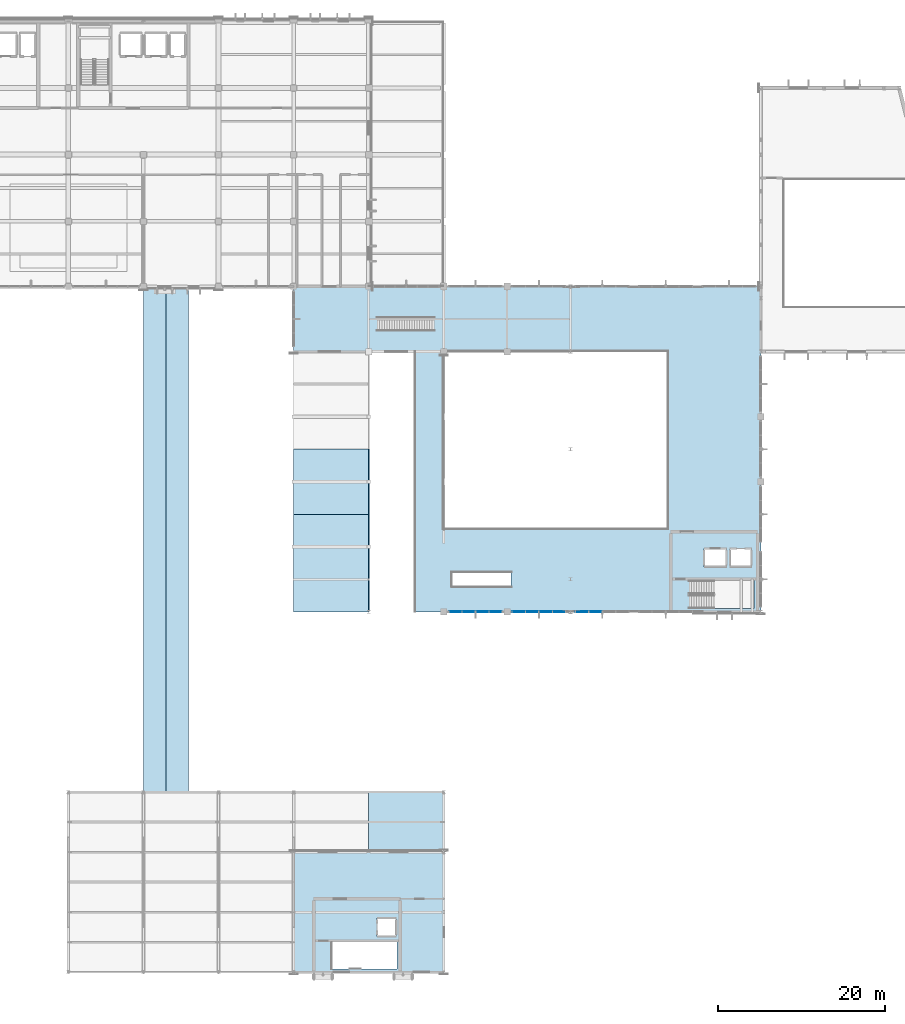
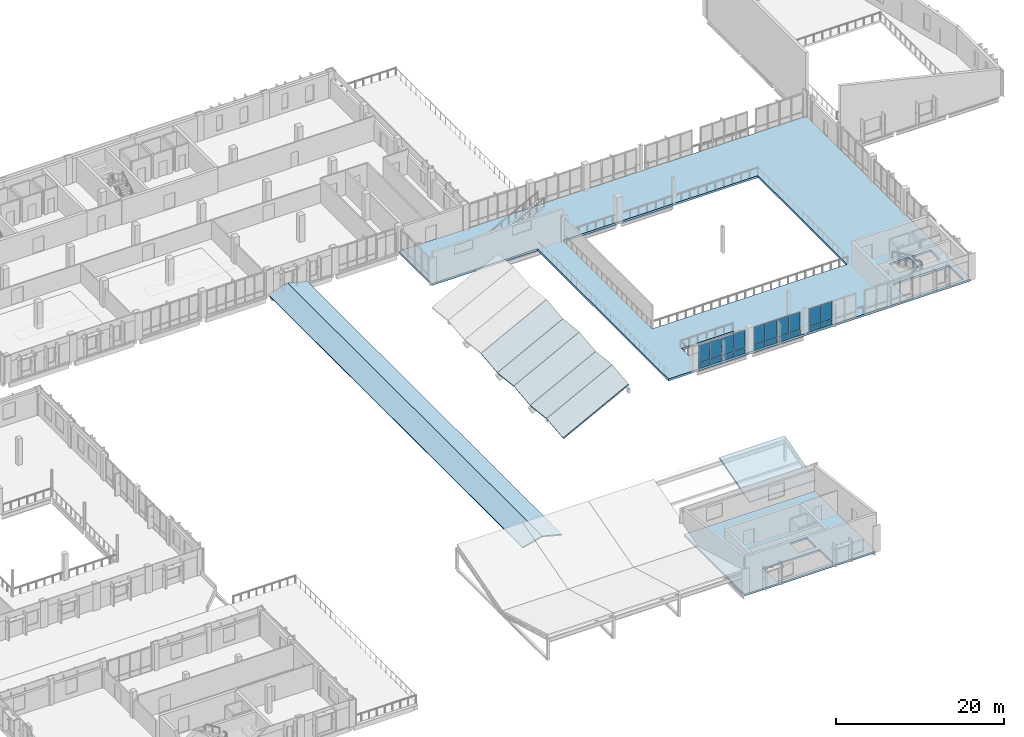
# One storey, part 30 of 64: 20 plates, 10 slabs, 5 elements without a shape of their own.
"""IFC4 building model written with IfcOpenShell, lengths in metres."""

from ifc_helpers import new_model, si_unit, direction, frame, origin, origin_2d, place, context, subcontext, project, spatial, polyline, rectangle, outline, extrude, material, layer, layer_set, type_object, element, aggregate, save


model = new_model("IFC4")

# Units and contexts
model_context = context("Model", 3, precision=1e-05, world=origin(), true_north=direction((0.0, 1.0)))
body_context = subcontext(model_context, "Body", "Model", "MODEL_VIEW")
ifc_project = project(units=[si_unit("LENGTHUNIT", "METRE"), si_unit("AREAUNIT", "SQUARE_METRE"), si_unit("VOLUMEUNIT", "CUBIC_METRE"), si_unit("PLANEANGLEUNIT", "RADIAN"), si_unit("MASSUNIT", "GRAM", prefix="KILO")], contexts=[model_context])

# Site, building, storey
site_placement = place(None, origin())
site = spatial("IfcSite", under=ifc_project, at=site_placement, CompositionType="ELEMENT")
building_placement = place(site_placement, origin())
building = spatial("IfcBuilding", under=site, at=building_placement, Name="Vervanel Yard Central Library", CompositionType="ELEMENT")
storey_placement = place(building_placement, frame((0.0, 0.0, 8.93994140625)))
storey = spatial("IfcBuildingStorey", under=building, at=storey_placement, Name="L02", CompositionType="ELEMENT", Elevation=8.93994140625)

# Slabs
ifc_material_1 = material(Name="Concrete C45/55", Category="concrete")
ifc_layer_1 = layer(ifc_material_1, 0.215087890625, Category="concrete")
ifc_layer_set_1 = layer_set([ifc_layer_1], Name="Concrete C45/55")
slab_type_1 = type_object("IfcSlabType", Name="Butterfly Folded Concrete Roof Slab 215", PredefinedType="ROOF", material=ifc_layer_set_1)
slab_1_placement = place(storey_placement, frame((99.0, 14.39990234375, 1.572265625), z_axis=(0.0, -0.27564654416, 0.961259061176), x_axis=(1.0, 0.0, 0.0)))
element("IfcSlab", 1, at=slab_1_placement, inside=storey, type_object=slab_type_1, Name="L02 V5 Butterfly Folded Concrete Roof Slab 215 V5-BF-N5", PredefinedType="ROOF", context=body_context, shape_type="SweptSolid", body=[
    extrude(outline(polyline([(0.0, 0.0), (9.0, 0.0), (9.0, 7.490379652382536), (0.0, 7.490379652382536), (0.0, 0.0)])), origin(), (0.0, 0.0, -1.0), 0.215087890625),
])
ifc_layer_2 = layer(ifc_material_1, 0.169921875, Category="concrete")
ifc_layer_set_2 = layer_set([ifc_layer_2], Name="Concrete C45/55")
slab_type_2 = type_object("IfcSlabType", Name="Courtyard Bridge Canopy Slab 170", PredefinedType="ROOF", material=ifc_layer_set_2)
for number, where, z_axis, x_axis, name in (
    (2, (72.0, 21.60009765625, 0.0400390625), (-0.250950007997, 0.0, 0.968000048288), (0.968000048288, 0.0, 0.250950007997), "L02 V6 Courtyard Bridge Canopy Slab 170 V6-BRIDGE-ROOF-W"),
    (3, (74.699951171875, 21.60009765625, 0.739990234375), (0.250950007997, 0.0, 0.968000048288), (0.968000048288, 0.0, -0.250950007997), "L02 V6 Courtyard Bridge Canopy Slab 170 V6-BRIDGE-ROOF-E"),
):
    element("IfcSlab", number, at=place(storey_placement, frame(where, z_axis=z_axis, x_axis=x_axis)), inside=storey, type_object=slab_type_2, Name=name, PredefinedType="ROOF", context=body_context, shape_type="SweptSolid", body=[
        extrude(outline(polyline([(0.0, 0.0), (2.7892056169308086, 0.0), (2.7892056169308086, 60.599853515625), (0.0, 60.599853515625), (0.0, 0.0)])), origin(), (0.0, 0.0, -1.0), 0.169921875),
    ])
ifc_material_2 = material(Name="Concrete C40/50", Category="concrete")
ifc_layer_3 = layer(ifc_material_2, 0.264892578125, Category="concrete")
ifc_layer_set_3 = layer_set([ifc_layer_3], Name="Concrete C40/50")
slab_type_3 = type_object("IfcSlabType", Name="Discovery Mezzanine Floor Slab 265", PredefinedType="FLOOR", material=ifc_layer_set_3)
slab_2_placement = place(storey_placement, frame((0.0, 0.0, -0.264892578125)))
element("IfcSlab", 4, at=slab_2_placement, inside=storey, type_object=slab_type_3, Name="L02 V5 Discovery Mezzanine Floor Slab 265", PredefinedType="FLOOR", context=body_context, shape_type="SweptSolid", body=[
    extrude(outline(polyline([(90.0, 0.0), (108.0, 0.0), (108.0, 14.39990234375), (90.0, 14.39990234375), (90.0, 0.0)]), holes=[polyline([(94.635009765625, 0.39990234375), (102.39990234375, 0.39990234375), (102.39990234375, 3.60009765625), (94.635009765625, 3.60009765625), (94.635009765625, 0.39990234375)]), polyline([(100.0, 4.300048828125), (102.300048828125, 4.300048828125), (102.300048828125, 6.5), (100.0, 6.5), (100.0, 4.300048828125)])]), origin(), (0.0, 0.0, 1.0), 0.264892578125),
])
ifc_layer_4 = layer(ifc_material_1, 0.219970703125, Category="concrete")
ifc_layer_set_4 = layer_set([ifc_layer_4], Name="Concrete C45/55")
slab_type_4 = type_object("IfcSlabType", Name="Folded Shell Roof Typical Plate 220", PredefinedType="ROOF", material=ifc_layer_set_4)
slab_3_placement = place(storey_placement, frame((90.0, 43.199951171875, -3.489990234375), z_axis=(-0.458701274363, -0.099056605972, 0.883052053795), x_axis=(0.887416545796, 0.0, 0.460968409165)))
element("IfcSlab", 5, at=slab_3_placement, inside=storey, type_object=slab_type_4, Name="L02 V3 Folded Shell Roof Typical Plate 220 V3-FLK-B1-S01", PredefinedType="ROOF", context=body_context, shape_type="SweptSolid", body=[
    extrude(outline(polyline([(0.0, 0.0), (10.14179873323036, -5.551115123125783e-17), (10.343472412239883, 3.9194229902853603), (0.2016736790095231, 3.919422990285361), (0.0, 0.0)])), origin(), (0.0, 0.0, -1.0), 0.219970703125),
])
slab_4_placement = place(storey_placement, frame((90.0, 47.10009765625, -3.052490234375), z_axis=(-0.458700992592, 0.099062746234, 0.883051511354), x_axis=(0.887416545796, 0.0, 0.460968409165)))
element("IfcSlab", 6, at=slab_4_placement, inside=storey, type_object=slab_type_4, Name="L02 V3 Folded Shell Roof Typical Plate 220 V3-FLK-B1-S02", PredefinedType="ROOF", context=body_context, shape_type="SweptSolid", body=[
    extrude(outline(polyline([(0.0, 0.0), (10.14179873323036, 0.0), (9.940125054220838, 3.919180050467382), (-0.2016736790095231, 3.9191800504673817), (0.0, 0.0)])), origin(), (0.0, 0.0, -1.0), 0.219970703125),
])
slab_5_placement = place(storey_placement, frame((90.0, 51.0, -3.489990234375), z_axis=(-0.458700992592, -0.099062746234, 0.883051511354), x_axis=(0.887416545796, 0.0, 0.460968409165)))
element("IfcSlab", 7, at=slab_5_placement, inside=storey, type_object=slab_type_4, Name="L02 V3 Folded Shell Roof Typical Plate 220 V3-FLK-B1-S03", PredefinedType="ROOF", context=body_context, shape_type="SweptSolid", body=[
    extrude(outline(polyline([(0.0, 0.0), (10.14179873323036, 0.0), (10.343472412239883, 3.9191800504673817), (0.2016736790095231, 3.9191800504673817), (0.0, 0.0)])), origin(), (0.0, 0.0, -1.0), 0.219970703125),
])
slab_6_placement = place(storey_placement, frame((90.0, 54.89990234375, -3.052490234375), z_axis=(-0.458701274363, 0.099056605972, 0.883052053795), x_axis=(0.887416545796, 0.0, 0.460968409165)))
element("IfcSlab", 8, at=slab_6_placement, inside=storey, type_object=slab_type_4, Name="L02 V3 Folded Shell Roof Typical Plate 220 V3-FLK-B1-S04", PredefinedType="ROOF", context=body_context, shape_type="SweptSolid", body=[
    extrude(outline(polyline([(0.0, 0.0), (10.14179873323036, 5.551115123125783e-17), (9.940125054220838, 3.919422990285361), (-0.2016736790095231, 3.919422990285361), (0.0, 0.0)])), origin(), (0.0, 0.0, -1.0), 0.219970703125),
])
slab_7_placement = place(storey_placement, frame((90.0, 58.800048828125, -3.489990234375), z_axis=(-0.458700992592, -0.099062746234, 0.883051511354), x_axis=(0.887416545796, 0.0, 0.460968409165)))
element("IfcSlab", 9, at=slab_7_placement, inside=storey, type_object=slab_type_4, Name="L02 V3 Folded Shell Roof Typical Plate 220 V3-FLK-B1-S05", PredefinedType="ROOF", context=body_context, shape_type="SweptSolid", body=[
    extrude(outline(polyline([(0.0, 0.0), (10.14179873323036, 0.0), (10.343472412239883, 3.9191800504673817), (0.2016736790095231, 3.9191800504673817), (0.0, 0.0)])), origin(), (0.0, 0.0, -1.0), 0.219970703125),
])
ifc_layer_5 = layer(ifc_material_2, 0.294921875, Category="concrete")
ifc_layer_set_5 = layer_set([ifc_layer_5], Name="Concrete C40/50")
slab_type_5 = type_object("IfcSlabType", Name="Reading Gallery Perimeter Slab 295", PredefinedType="FLOOR", material=ifc_layer_set_5)
slab_8_placement = place(storey_placement, frame((0.0, 0.0, -0.294921875)))
element("IfcSlab", 10, at=slab_8_placement, inside=storey, type_object=slab_type_5, Name="L02 V3 Reading Gallery Perimeter Slab 295", PredefinedType="FLOOR", context=body_context, shape_type="SweptSolid", body=[
    extrude(outline(polyline([(104.5, 43.199951171875), (146.0, 43.199951171875), (146.0, 82.199951171875), (90.0, 82.199951171875), (90.0, 74.39990234375), (104.5, 74.39990234375), (104.5, 43.199951171875)]), holes=[polyline([(108.0, 53.199951171875), (134.800048828125, 53.199951171875), (134.800048828125, 74.39990234375), (108.0, 74.39990234375), (108.0, 53.199951171875)]), polyline([(137.43505859375, 43.60009765625), (145.199951171875, 43.60009765625), (145.199951171875, 46.9599609375), (137.43505859375, 46.9599609375), (137.43505859375, 43.60009765625)]), polyline([(139.199951171875, 48.60009765625), (141.89990234375, 48.60009765625), (141.89990234375, 50.800048828125), (139.199951171875, 50.800048828125), (139.199951171875, 48.60009765625)]), polyline([(142.300048828125, 48.60009765625), (144.89990234375, 48.60009765625), (144.89990234375, 50.800048828125), (142.300048828125, 50.800048828125), (142.300048828125, 48.60009765625)]), polyline([(109.0, 46.260009765625), (116.06494140625, 46.260009765625), (116.06494140625, 47.93994140625), (109.0, 47.93994140625), (109.0, 46.260009765625)])]), origin(), (0.0, 0.0, 1.0), 0.294921875),
])

# Curtain wall, plates
ifc_material_3 = material(Name="Thermally broken anodized aluminium 6063-T6", Category="aluminium")
curtain_wall_type = type_object("IfcCurtainWallType", Name="Reading Hall Full-Height Curtain Wall", PredefinedType="NOTDEFINED", material=ifc_material_3)
curtain_wall_1_placement = place(storey_placement, origin())
curtain_wall_1 = element("IfcCurtainWall", 11, at=curtain_wall_1_placement, inside=storey, type_object=curtain_wall_type, Name="L02 Reading Hall Full-Height Curtain Wall CWR-L02-068", PredefinedType="NOTDEFINED")
ifc_material_4 = material(Name="Double low-E laminated solar-control glass", Category="glass")
ifc_layer_6 = layer(ifc_material_4, 0.0380859375, Category="glass")
ifc_layer_set_6 = layer_set([ifc_layer_6], Name="Double low-E laminated solar-control glass")
plate_type_1 = type_object("IfcPlateType", Name="Reading Hall Acoustic Vision Panel 38", PredefinedType="CURTAIN_PANEL", material=ifc_layer_set_6)
plate_1_placement = place(storey_placement, frame((109.387451171875, 43.199951171875, 0.88525390625), z_axis=(0.0, 0.0, 1.0), x_axis=(1.0, 0.0, 0.0)))
plate_1 = element("IfcPlate", 12, at=plate_1_placement, type_object=plate_type_1, Name="CWR-L02-068 Panel B1-2", PredefinedType="CURTAIN_PANEL", context=body_context, shape_type="SweptSolid", body=[
    extrude(rectangle(XDim=1.514892578125, YDim=0.0380859375, at=origin_2d()), origin(), (0.0, 0.0, 1.0), 2.554931640625),
])
plate_2_placement = place(storey_placement, frame((110.972412109375, 43.199951171875, 0.88525390625), z_axis=(0.0, 0.0, 1.0), x_axis=(1.0, 0.0, 0.0)))
plate_2 = element("IfcPlate", 13, at=plate_2_placement, type_object=plate_type_1, Name="CWR-L02-068 Panel B2-2", PredefinedType="CURTAIN_PANEL", context=body_context, shape_type="SweptSolid", body=[
    extrude(rectangle(XDim=1.514892578125, YDim=0.0380859375, at=origin_2d()), origin(), (0.0, 0.0, 1.0), 2.554931640625),
])

curtain_wall_2_placement = place(storey_placement, origin())
curtain_wall_2 = element("IfcCurtainWall", 14, at=curtain_wall_2_placement, inside=storey, type_object=curtain_wall_type, Name="L02 Reading Hall Full-Height Curtain Wall CWR-L02-069", PredefinedType="NOTDEFINED")
plate_3_placement = place(storey_placement, frame((112.62744140625, 43.199951171875, 0.88525390625), z_axis=(0.0, 0.0, 1.0), x_axis=(1.0, 0.0, 0.0)))
plate_3 = element("IfcPlate", 15, at=plate_3_placement, type_object=plate_type_1, Name="CWR-L02-069 Panel B1-2", PredefinedType="CURTAIN_PANEL", context=body_context, shape_type="SweptSolid", body=[
    extrude(rectangle(XDim=1.514892578125, YDim=0.0380859375, at=origin_2d()), origin(), (0.0, 0.0, 1.0), 2.554931640625),
])
plate_4_placement = place(storey_placement, frame((114.21240234375, 43.199951171875, 0.88525390625), z_axis=(0.0, 0.0, 1.0), x_axis=(1.0, 0.0, 0.0)))
plate_4 = element("IfcPlate", 16, at=plate_4_placement, type_object=plate_type_1, Name="CWR-L02-069 Panel B2-2", PredefinedType="CURTAIN_PANEL", context=body_context, shape_type="SweptSolid", body=[
    extrude(rectangle(XDim=1.514892578125, YDim=0.0380859375, at=origin_2d()), origin(), (0.0, 0.0, 1.0), 2.554931640625),
])

curtain_wall_3_placement = place(storey_placement, origin())
curtain_wall_3 = element("IfcCurtainWall", 17, at=curtain_wall_3_placement, inside=storey, type_object=curtain_wall_type, Name="L02 Reading Hall Full-Height Curtain Wall CWR-L02-070", PredefinedType="NOTDEFINED")
plate_5_placement = place(storey_placement, frame((116.987548828125, 43.199951171875, 0.88525390625), z_axis=(0.0, 0.0, 1.0), x_axis=(1.0, 0.0, 0.0)))
plate_5 = element("IfcPlate", 18, at=plate_5_placement, type_object=plate_type_1, Name="CWR-L02-070 Panel B1-2", PredefinedType="CURTAIN_PANEL", context=body_context, shape_type="SweptSolid", body=[
    extrude(rectangle(XDim=1.514892578125, YDim=0.0380859375, at=origin_2d()), origin(), (0.0, 0.0, 1.0), 2.554931640625),
])
plate_6_placement = place(storey_placement, frame((118.572509765625, 43.199951171875, 0.88525390625), z_axis=(0.0, 0.0, 1.0), x_axis=(1.0, 0.0, 0.0)))
plate_6 = element("IfcPlate", 19, at=plate_6_placement, type_object=plate_type_1, Name="CWR-L02-070 Panel B2-2", PredefinedType="CURTAIN_PANEL", context=body_context, shape_type="SweptSolid", body=[
    extrude(rectangle(XDim=1.514892578125, YDim=0.0380859375, at=origin_2d()), origin(), (0.0, 0.0, 1.0), 2.554931640625),
])

curtain_wall_4_placement = place(storey_placement, origin())
curtain_wall_4 = element("IfcCurtainWall", 20, at=curtain_wall_4_placement, inside=storey, type_object=curtain_wall_type, Name="L02 Reading Hall Full-Height Curtain Wall CWR-L02-071", PredefinedType="NOTDEFINED")
plate_7_placement = place(storey_placement, frame((120.2275390625, 43.199951171875, 0.88525390625), z_axis=(0.0, 0.0, 1.0), x_axis=(1.0, 0.0, 0.0)))
plate_7 = element("IfcPlate", 21, at=plate_7_placement, type_object=plate_type_1, Name="CWR-L02-071 Panel B1-2", PredefinedType="CURTAIN_PANEL", context=body_context, shape_type="SweptSolid", body=[
    extrude(rectangle(XDim=1.514892578125, YDim=0.0380859375, at=origin_2d()), origin(), (0.0, 0.0, 1.0), 2.554931640625),
])
plate_8_placement = place(storey_placement, frame((121.8125, 43.199951171875, 0.88525390625), z_axis=(0.0, 0.0, 1.0), x_axis=(1.0, 0.0, 0.0)))
plate_8 = element("IfcPlate", 22, at=plate_8_placement, type_object=plate_type_1, Name="CWR-L02-071 Panel B2-2", PredefinedType="CURTAIN_PANEL", context=body_context, shape_type="SweptSolid", body=[
    extrude(rectangle(XDim=1.514892578125, YDim=0.0380859375, at=origin_2d()), origin(), (0.0, 0.0, 1.0), 2.554931640625),
])

curtain_wall_5_placement = place(storey_placement, origin())
curtain_wall_5 = element("IfcCurtainWall", 23, at=curtain_wall_5_placement, inside=storey, type_object=curtain_wall_type, Name="L02 Reading Hall Full-Height Curtain Wall CWR-L02-072", PredefinedType="NOTDEFINED")
plate_9_placement = place(storey_placement, frame((124.58740234375, 43.199951171875, 0.88525390625), z_axis=(0.0, 0.0, 1.0), x_axis=(1.0, 0.0, 0.0)))
plate_9 = element("IfcPlate", 24, at=plate_9_placement, type_object=plate_type_1, Name="CWR-L02-072 Panel B1-2", PredefinedType="CURTAIN_PANEL", context=body_context, shape_type="SweptSolid", body=[
    extrude(rectangle(XDim=1.514892578125, YDim=0.0380859375, at=origin_2d()), origin(), (0.0, 0.0, 1.0), 2.554931640625),
])
plate_10_placement = place(storey_placement, frame((126.172607421875, 43.199951171875, 0.88525390625), z_axis=(0.0, 0.0, 1.0), x_axis=(1.0, 0.0, 0.0)))
plate_10 = element("IfcPlate", 25, at=plate_10_placement, type_object=plate_type_1, Name="CWR-L02-072 Panel B2-2", PredefinedType="CURTAIN_PANEL", context=body_context, shape_type="SweptSolid", body=[
    extrude(rectangle(XDim=1.514892578125, YDim=0.0380859375, at=origin_2d()), origin(), (0.0, 0.0, 1.0), 2.554931640625),
])

# Plate
ifc_material_5 = material(Name="Insulated bronze aluminium spandrel panel", Category="aluminium")
ifc_layer_7 = layer(ifc_material_5, 0.094970703125, Category="aluminium")
ifc_layer_set_7 = layer_set([ifc_layer_7], Name="Insulated bronze aluminium spandrel panel")
plate_type_2 = type_object("IfcPlateType", Name="Reading Hall Shadow-Box Spandrel 95", PredefinedType="CURTAIN_PANEL", material=ifc_layer_set_7)
plate_11_placement = place(storey_placement, frame((109.387451171875, 43.199951171875, 0.070068359375), z_axis=(0.0, 0.0, 1.0), x_axis=(1.0, 0.0, 0.0)))
plate_11 = element("IfcPlate", 26, at=plate_11_placement, type_object=plate_type_2, Name="CWR-L02-068 Panel B1-1", PredefinedType="CURTAIN_PANEL", context=body_context, shape_type="SweptSolid", body=[
    extrude(rectangle(XDim=1.514892578125, YDim=0.094970703125, at=origin_2d()), origin(), (0.0, 0.0, 1.0), 0.7451171875),
])

plate_12_placement = place(storey_placement, frame((110.972412109375, 43.199951171875, 0.070068359375), z_axis=(0.0, 0.0, 1.0), x_axis=(1.0, 0.0, 0.0)))
plate_12 = element("IfcPlate", 27, at=plate_12_placement, type_object=plate_type_2, Name="CWR-L02-068 Panel B2-1", PredefinedType="CURTAIN_PANEL", context=body_context, shape_type="SweptSolid", body=[
    extrude(rectangle(XDim=1.514892578125, YDim=0.094970703125, at=origin_2d()), origin(), (0.0, 0.0, 1.0), 0.7451171875),
])

aggregate(curtain_wall_1, [plate_11, plate_1, plate_12, plate_2])

plate_13_placement = place(storey_placement, frame((112.62744140625, 43.199951171875, 0.070068359375), z_axis=(0.0, 0.0, 1.0), x_axis=(1.0, 0.0, 0.0)))
plate_13 = element("IfcPlate", 28, at=plate_13_placement, type_object=plate_type_2, Name="CWR-L02-069 Panel B1-1", PredefinedType="CURTAIN_PANEL", context=body_context, shape_type="SweptSolid", body=[
    extrude(rectangle(XDim=1.514892578125, YDim=0.094970703125, at=origin_2d()), origin(), (0.0, 0.0, 1.0), 0.7451171875),
])

plate_14_placement = place(storey_placement, frame((114.21240234375, 43.199951171875, 0.070068359375), z_axis=(0.0, 0.0, 1.0), x_axis=(1.0, 0.0, 0.0)))
plate_14 = element("IfcPlate", 29, at=plate_14_placement, type_object=plate_type_2, Name="CWR-L02-069 Panel B2-1", PredefinedType="CURTAIN_PANEL", context=body_context, shape_type="SweptSolid", body=[
    extrude(rectangle(XDim=1.514892578125, YDim=0.094970703125, at=origin_2d()), origin(), (0.0, 0.0, 1.0), 0.7451171875),
])

aggregate(curtain_wall_2, [plate_13, plate_3, plate_14, plate_4])

plate_15_placement = place(storey_placement, frame((116.987548828125, 43.199951171875, 0.070068359375), z_axis=(0.0, 0.0, 1.0), x_axis=(1.0, 0.0, 0.0)))
plate_15 = element("IfcPlate", 30, at=plate_15_placement, type_object=plate_type_2, Name="CWR-L02-070 Panel B1-1", PredefinedType="CURTAIN_PANEL", context=body_context, shape_type="SweptSolid", body=[
    extrude(rectangle(XDim=1.514892578125, YDim=0.094970703125, at=origin_2d()), origin(), (0.0, 0.0, 1.0), 0.7451171875),
])

plate_16_placement = place(storey_placement, frame((118.572509765625, 43.199951171875, 0.070068359375), z_axis=(0.0, 0.0, 1.0), x_axis=(1.0, 0.0, 0.0)))
plate_16 = element("IfcPlate", 31, at=plate_16_placement, type_object=plate_type_2, Name="CWR-L02-070 Panel B2-1", PredefinedType="CURTAIN_PANEL", context=body_context, shape_type="SweptSolid", body=[
    extrude(rectangle(XDim=1.514892578125, YDim=0.094970703125, at=origin_2d()), origin(), (0.0, 0.0, 1.0), 0.7451171875),
])

aggregate(curtain_wall_3, [plate_15, plate_5, plate_16, plate_6])

plate_17_placement = place(storey_placement, frame((120.2275390625, 43.199951171875, 0.070068359375), z_axis=(0.0, 0.0, 1.0), x_axis=(1.0, 0.0, 0.0)))
plate_17 = element("IfcPlate", 32, at=plate_17_placement, type_object=plate_type_2, Name="CWR-L02-071 Panel B1-1", PredefinedType="CURTAIN_PANEL", context=body_context, shape_type="SweptSolid", body=[
    extrude(rectangle(XDim=1.514892578125, YDim=0.094970703125, at=origin_2d()), origin(), (0.0, 0.0, 1.0), 0.7451171875),
])

plate_18_placement = place(storey_placement, frame((121.8125, 43.199951171875, 0.070068359375), z_axis=(0.0, 0.0, 1.0), x_axis=(1.0, 0.0, 0.0)))
plate_18 = element("IfcPlate", 33, at=plate_18_placement, type_object=plate_type_2, Name="CWR-L02-071 Panel B2-1", PredefinedType="CURTAIN_PANEL", context=body_context, shape_type="SweptSolid", body=[
    extrude(rectangle(XDim=1.514892578125, YDim=0.094970703125, at=origin_2d()), origin(), (0.0, 0.0, 1.0), 0.7451171875),
])

aggregate(curtain_wall_4, [plate_17, plate_7, plate_18, plate_8])

plate_19_placement = place(storey_placement, frame((124.58740234375, 43.199951171875, 0.070068359375), z_axis=(0.0, 0.0, 1.0), x_axis=(1.0, 0.0, 0.0)))
plate_19 = element("IfcPlate", 34, at=plate_19_placement, type_object=plate_type_2, Name="CWR-L02-072 Panel B1-1", PredefinedType="CURTAIN_PANEL", context=body_context, shape_type="SweptSolid", body=[
    extrude(rectangle(XDim=1.514892578125, YDim=0.094970703125, at=origin_2d()), origin(), (0.0, 0.0, 1.0), 0.7451171875),
])

plate_20_placement = place(storey_placement, frame((126.172607421875, 43.199951171875, 0.070068359375), z_axis=(0.0, 0.0, 1.0), x_axis=(1.0, 0.0, 0.0)))
plate_20 = element("IfcPlate", 35, at=plate_20_placement, type_object=plate_type_2, Name="CWR-L02-072 Panel B2-1", PredefinedType="CURTAIN_PANEL", context=body_context, shape_type="SweptSolid", body=[
    extrude(rectangle(XDim=1.514892578125, YDim=0.094970703125, at=origin_2d()), origin(), (0.0, 0.0, 1.0), 0.7451171875),
])

aggregate(curtain_wall_5, [plate_19, plate_9, plate_20, plate_10])

save(model, "model.ifc")
